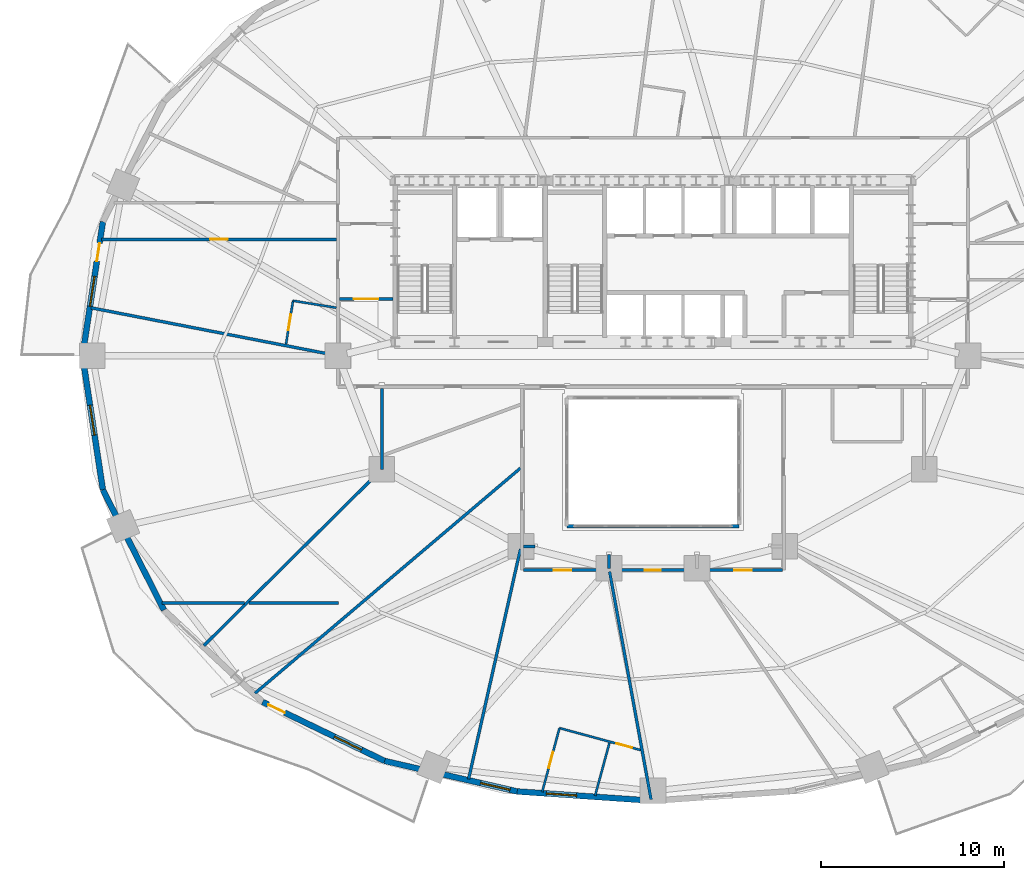
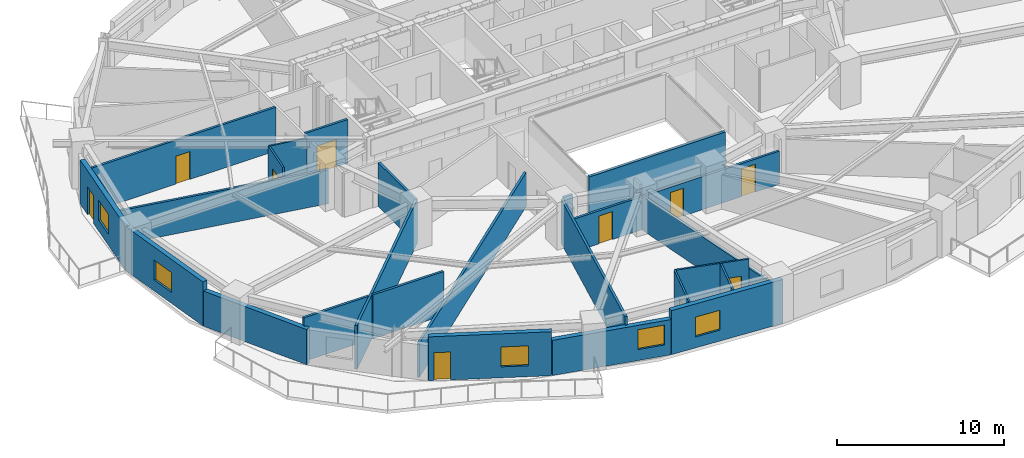
# One storey, part 9 of 17: 25 walls, 10 doors, 5 windows, 15 openings.
"""IFC4 building model written with IfcOpenShell, lengths in metres."""

from ifc_helpers import new_model, si_unit, direction, frame, frame_2d, origin, place, context, subcontext, project, spatial, rectangle, extrude, material, layer, layer_set, type_object, element, fill, save


model = new_model("IFC4")

# Units and contexts
model_context = context("Model", 3, precision=1e-05, world=origin(), true_north=direction((0.0, 1.0)))
body_context = subcontext(model_context, "Body", "Model", "MODEL_VIEW")
ifc_project = project(units=[si_unit("LENGTHUNIT", "METRE"), si_unit("AREAUNIT", "SQUARE_METRE"), si_unit("VOLUMEUNIT", "CUBIC_METRE"), si_unit("PLANEANGLEUNIT", "RADIAN"), si_unit("MASSUNIT", "GRAM", prefix="KILO")], contexts=[model_context])

# Site, building, storey
site_placement = place(None, origin())
site = spatial("IfcSite", under=ifc_project, at=site_placement, CompositionType="ELEMENT")
building_placement = place(site_placement, origin())
building = spatial("IfcBuilding", under=site, at=building_placement, Name="Haldorwick Loom Tower", CompositionType="ELEMENT")
storey_placement = place(building_placement, frame((0.0, 0.0, 55.050048828125)))
storey = spatial("IfcBuildingStorey", under=building, at=storey_placement, Name="L14", CompositionType="ELEMENT", Elevation=55.050048828125)

# Wall, openings, door, window
ifc_material_1 = material(Name="Pressed Clay Face Brick and Insulated Masonry Backup Assembly", Category="masonry")
ifc_layer_1 = layer(ifc_material_1, 0.320068359375, Name="Pressed Clay Face Brick and Insulated Masonry Backup Assembly", Category="masonry")
ifc_layer_set_1 = layer_set([ifc_layer_1], Name="Pressed Clay Face Brick and Insulated Masonry Backup Assembly")
wall_type_1 = type_object("IfcWallType", Name="ARC-WL-EXT320", PredefinedType="STANDARD", material=ifc_layer_set_1)
wall_1_placement = place(storey_placement, frame((5.978271484375, 33.320556640625, 0.0), z_axis=(0.0, 0.0, 1.0), x_axis=(-0.150476322528, -0.988613613278, 0.0)))
wall_1 = element("IfcWall", 1, at=wall_1_placement, inside=storey, type_object=wall_type_1, Name="L14 Brick Pier and Spandrel Wall 12", PredefinedType="STANDARD", context=body_context, shape_type="SweptSolid", body=[
    extrude(rectangle(XDim=7.40478515625, YDim=0.320068359375, at=frame_2d((3.702392578125, 0.0))), origin(), (0.0, 0.0, 1.0), 3.2099609375),
])
opening_1_placement = place(wall_1_placement, frame((1.18359375, 0.0, 0.0)))
opening_1 = element("IfcOpeningElement", 2, at=opening_1_placement, cuts=wall_1, Name="Opening D-BL10", PredefinedType="OPENING", context=body_context, shape_type="SweptSolid", body=[
    extrude(rectangle(XDim=1.0, YDim=2.0400390625, at=frame_2d((0.5, 1.02001953125))), frame((0.0, 0.169921875, 0.0), z_axis=(0.0, -1.0, 0.0), x_axis=(1.0, 0.0, 0.0)), (0.0, 0.0, 1.0), 0.340087890625),
])
opening_2_placement = place(wall_1_placement, frame((3.026611328125, 0.0, 0.800048828125)))
opening_2 = element("IfcOpeningElement", 3, at=opening_2_placement, cuts=wall_1, Name="Opening W-01B", PredefinedType="OPENING", context=body_context, shape_type="SweptSolid", body=[
    extrude(rectangle(XDim=1.64990234375, YDim=1.449951171875, at=frame_2d((0.824951171875, 0.72509765625))), frame((0.0, 0.169921875, 0.0), z_axis=(0.0, -1.0, 0.0), x_axis=(1.0, 0.0, 0.0)), (0.0, 0.0, 1.0), 0.340087890625),
])
ifc_material_2 = material(Name="Thermally Broken Anodized Aluminium Curtain Wall Framing", Category="aluminium")
door_type_1 = type_object("IfcDoorType", Name="ARC-DR-BAL100", OperationType="NOTDEFINED", PredefinedType="DOOR", material=ifc_material_2)
door_1_placement = place(opening_1_placement, origin())
door_1 = element("IfcDoor", 4, at=door_1_placement, inside=storey, type_object=door_type_1, Name="L14 Outdoor Terrace Door SLB-L14-BAL_WNW", OperationType="SINGLE_SWING_RIGHT", OverallHeight=2.0400390625, OverallWidth=1.0, PredefinedType="DOOR", context=body_context, shape_type="SweptSolid", body=[
    extrude(rectangle(XDim=1.0, YDim=2.0400390625, at=frame_2d((0.5, 1.02001953125))), frame((0.0, 0.02490234375, 0.0), z_axis=(0.0, -1.0, 0.0), x_axis=(1.0, 0.0, 0.0)), (0.0, 0.0, 1.0), 0.050048828125),
])
fill(opening_1, door_1)
ifc_material_3 = material(Name="Triple-Glazed Low-E Argon Insulated Glazing Unit", Category="glass")
window_type = type_object("IfcWindowType", Name="ARC-WIN-W165", PartitioningType="SINGLE_PANEL", PredefinedType="WINDOW", material=ifc_material_3)
window_1_placement = place(opening_2_placement, origin())
window_1 = element("IfcWindow", 5, at=window_1_placement, inside=storey, type_object=window_type, Name="L14 Deep-Set Zone 7A Window 12", OverallHeight=1.449951171875, OverallWidth=1.64990234375, PartitioningType="SINGLE_PANEL", PredefinedType="WINDOW", context=body_context, shape_type="SweptSolid", body=[
    extrude(rectangle(XDim=1.64990234375, YDim=1.449951171875, at=frame_2d((0.824951171875, 0.72509765625))), frame((0.0, 0.030029296875, 0.0), z_axis=(0.0, -1.0, 0.0), x_axis=(1.0, 0.0, 0.0)), (0.0, 0.0, 1.0), 0.06005859375),
])
fill(opening_2, window_1)

# Wall, opening, window
wall_2_placement = place(storey_placement, frame((4.864013671875, 26.0, 0.0), z_axis=(0.0, 0.0, 1.0), x_axis=(0.150476322528, -0.988613613278, 0.0)))
wall_2 = element("IfcWall", 6, at=wall_2_placement, inside=storey, type_object=wall_type_1, Name="L14 Brick Pier and Spandrel Wall 13", PredefinedType="STANDARD", context=body_context, shape_type="SweptSolid", body=[
    extrude(rectangle(XDim=7.40478515625, YDim=0.320068359375, at=frame_2d((3.702392578125, 0.0))), origin(), (0.0, 0.0, 1.0), 3.2099609375),
])
opening_3_placement = place(wall_2_placement, frame((2.728271484375, 0.0, 0.800048828125)))
opening_3 = element("IfcOpeningElement", 7, at=opening_3_placement, cuts=wall_2, Name="Opening W-01B", PredefinedType="OPENING", context=body_context, shape_type="SweptSolid", body=[
    extrude(rectangle(XDim=1.64990234375, YDim=1.449951171875, at=frame_2d((0.824951171875, 0.72509765625))), frame((0.0, 0.169921875, 0.0), z_axis=(0.0, -1.0, 0.0), x_axis=(1.0, 0.0, 0.0)), (0.0, 0.0, 1.0), 0.340087890625),
])
window_2_placement = place(opening_3_placement, origin())
window_2 = element("IfcWindow", 8, at=window_2_placement, inside=storey, type_object=window_type, Name="L14 Deep-Set Zone 7A Window 13", OverallHeight=1.449951171875, OverallWidth=1.64990234375, PartitioningType="SINGLE_PANEL", PredefinedType="WINDOW", context=body_context, shape_type="SweptSolid", body=[
    extrude(rectangle(XDim=1.64990234375, YDim=1.449951171875, at=frame_2d((0.824951171875, 0.72509765625))), frame((0.0, 0.030029296875, 0.0), z_axis=(0.0, -1.0, 0.0), x_axis=(1.0, 0.0, 0.0)), (0.0, 0.0, 1.0), 0.06005859375),
])
fill(opening_3, window_2)

# Wall
wall_3_placement = place(storey_placement, frame((5.978271484375, 18.679443359375, 0.0), z_axis=(0.0, 0.0, 1.0), x_axis=(0.452950855928, -0.891535485617, 0.0)))
element("IfcWall", 9, at=wall_3_placement, inside=storey, type_object=wall_type_1, Name="L14 Brick Pier and Spandrel Wall 14", PredefinedType="STANDARD", context=body_context, shape_type="SweptSolid", body=[
    extrude(rectangle(XDim=7.3583984375, YDim=0.320068359375, at=frame_2d((3.67919921875, 0.0))), origin(), (0.0, 0.0, 1.0), 2.56884765625),
])

# Wall, openings, door, window
wall_4_placement = place(storey_placement, frame((14.69580078125, 7.10400390625, 0.0), z_axis=(0.0, 0.0, 1.0), x_axis=(0.900295710431, -0.435278800057, 0.0)))
wall_4 = element("IfcWall", 10, at=wall_4_placement, inside=storey, type_object=wall_type_1, Name="L14 Brick Pier and Spandrel Wall 16", PredefinedType="STANDARD", context=body_context, shape_type="SweptSolid", body=[
    extrude(rectangle(XDim=7.39697265625, YDim=0.320068359375, at=frame_2d((3.698486328125, 0.0))), origin(), (0.0, 0.0, 1.0), 3.2099609375),
])
opening_4_placement = place(wall_4_placement, frame((0.340087890625, 0.0, 0.0)))
opening_4 = element("IfcOpeningElement", 11, at=opening_4_placement, cuts=wall_4, Name="Opening D-BL10", PredefinedType="OPENING", context=body_context, shape_type="SweptSolid", body=[
    extrude(rectangle(XDim=1.0, YDim=2.0400390625, at=frame_2d((0.5, 1.02001953125))), frame((0.0, 0.169921875, 0.0), z_axis=(0.0, -1.0, 0.0), x_axis=(1.0, 0.0, 0.0)), (0.0, 0.0, 1.0), 0.340087890625),
])
opening_5_placement = place(wall_4_placement, frame((4.352783203125, 0.0, 0.800048828125)))
opening_5 = element("IfcOpeningElement", 12, at=opening_5_placement, cuts=wall_4, Name="Opening W-01B", PredefinedType="OPENING", context=body_context, shape_type="SweptSolid", body=[
    extrude(rectangle(XDim=1.64990234375, YDim=1.449951171875, at=frame_2d((0.824951171875, 0.72509765625))), frame((0.0, 0.169921875, 0.0), z_axis=(0.0, -1.0, 0.0), x_axis=(1.0, 0.0, 0.0)), (0.0, 0.0, 1.0), 0.340087890625),
])
door_2_placement = place(opening_4_placement, origin())
door_2 = element("IfcDoor", 13, at=door_2_placement, inside=storey, type_object=door_type_1, Name="L14 Outdoor Terrace Door SLB-L14-BAL_SW", OperationType="SINGLE_SWING_RIGHT", OverallHeight=2.0400390625, OverallWidth=1.0, PredefinedType="DOOR", context=body_context, shape_type="SweptSolid", body=[
    extrude(rectangle(XDim=1.0, YDim=2.0400390625, at=frame_2d((0.5, 1.02001953125))), frame((0.0, 0.02490234375, 0.0), z_axis=(0.0, -1.0, 0.0), x_axis=(1.0, 0.0, 0.0)), (0.0, 0.0, 1.0), 0.050048828125),
])
fill(opening_4, door_2)
window_3_placement = place(opening_5_placement, origin())
window_3 = element("IfcWindow", 14, at=window_3_placement, inside=storey, type_object=window_type, Name="L14 Deep-Set Zone 7A Window 16", OverallHeight=1.449951171875, OverallWidth=1.64990234375, PartitioningType="SINGLE_PANEL", PredefinedType="WINDOW", context=body_context, shape_type="SweptSolid", body=[
    extrude(rectangle(XDim=1.64990234375, YDim=1.449951171875, at=frame_2d((0.824951171875, 0.72509765625))), frame((0.0, 0.030029296875, 0.0), z_axis=(0.0, -1.0, 0.0), x_axis=(1.0, 0.0, 0.0)), (0.0, 0.0, 1.0), 0.06005859375),
])
fill(opening_5, window_3)

# Wall, opening, window
wall_5_placement = place(storey_placement, frame((21.355224609375, 3.88427734375, 0.0), z_axis=(0.0, 0.0, 1.0), x_axis=(0.974522412345, -0.224290142088, 0.0)))
wall_5 = element("IfcWall", 15, at=wall_5_placement, inside=storey, type_object=wall_type_1, Name="L14 Brick Pier and Spandrel Wall 17", PredefinedType="STANDARD", context=body_context, shape_type="SweptSolid", body=[
    extrude(rectangle(XDim=7.422607421875, YDim=0.320068359375, at=frame_2d((3.71142578125, 0.0))), origin(), (0.0, 0.0, 1.0), 2.56884765625),
])
opening_6_placement = place(wall_5_placement, frame((5.37255859375, 0.0, 0.800048828125)))
opening_6 = element("IfcOpeningElement", 16, at=opening_6_placement, cuts=wall_5, Name="Opening W-01B", PredefinedType="OPENING", context=body_context, shape_type="SweptSolid", body=[
    extrude(rectangle(XDim=1.64990234375, YDim=1.449951171875, at=frame_2d((0.824951171875, 0.72509765625))), frame((0.0, 0.169921875, 0.0), z_axis=(0.0, -1.0, 0.0), x_axis=(1.0, 0.0, 0.0)), (0.0, 0.0, 1.0), 0.340087890625),
])
window_4_placement = place(opening_6_placement, origin())
window_4 = element("IfcWindow", 17, at=window_4_placement, inside=storey, type_object=window_type, Name="L14 Deep-Set Zone 7A Window 17", OverallHeight=1.449951171875, OverallWidth=1.64990234375, PartitioningType="SINGLE_PANEL", PredefinedType="WINDOW", context=body_context, shape_type="SweptSolid", body=[
    extrude(rectangle(XDim=1.64990234375, YDim=1.449951171875, at=frame_2d((0.824951171875, 0.72509765625))), frame((0.0, 0.030029296875, 0.0), z_axis=(0.0, -1.0, 0.0), x_axis=(1.0, 0.0, 0.0)), (0.0, 0.0, 1.0), 0.06005859375),
])
fill(opening_6, window_4)

wall_6_placement = place(storey_placement, frame((28.588623046875, 2.219482421875, 0.0), z_axis=(0.0, 0.0, 1.0), x_axis=(0.997645161917, -0.068586667092, 0.0)))
wall_6 = element("IfcWall", 18, at=wall_6_placement, inside=storey, type_object=wall_type_1, Name="L14 Brick Pier and Spandrel Wall 18", PredefinedType="STANDARD", context=body_context, shape_type="SweptSolid", body=[
    extrude(rectangle(XDim=7.428955078125, YDim=0.320068359375, at=frame_2d((3.71435546875, 0.0))), origin(), (0.0, 0.0, 1.0), 3.2099609375),
])
opening_7_placement = place(wall_6_placement, frame((1.599609375, 0.0, 0.800048828125)))
opening_7 = element("IfcOpeningElement", 19, at=opening_7_placement, cuts=wall_6, Name="Opening W-01B", PredefinedType="OPENING", context=body_context, shape_type="SweptSolid", body=[
    extrude(rectangle(XDim=1.64990234375, YDim=1.449951171875, at=frame_2d((0.824951171875, 0.72509765625))), frame((0.0, 0.169921875, 0.0), z_axis=(0.0, -1.0, 0.0), x_axis=(1.0, 0.0, 0.0)), (0.0, 0.0, 1.0), 0.340087890625),
])
window_5_placement = place(opening_7_placement, origin())
window_5 = element("IfcWindow", 20, at=window_5_placement, inside=storey, type_object=window_type, Name="L14 Deep-Set Zone 7A Window 18", OverallHeight=1.449951171875, OverallWidth=1.64990234375, PartitioningType="SINGLE_PANEL", PredefinedType="WINDOW", context=body_context, shape_type="SweptSolid", body=[
    extrude(rectangle(XDim=1.64990234375, YDim=1.449951171875, at=frame_2d((0.824951171875, 0.72509765625))), frame((0.0, 0.030029296875, 0.0), z_axis=(0.0, -1.0, 0.0), x_axis=(1.0, 0.0, 0.0)), (0.0, 0.0, 1.0), 0.06005859375),
])
fill(opening_7, window_5)

# Wall, opening, door
ifc_material_4 = material(Name="Fire-Rated Type X Gypsum Stud Assembly EI 60")
ifc_layer_2 = layer(ifc_material_4, 0.159912109375, Name="Fire-Rated Type X Gypsum Stud Assembly EI 60")
ifc_layer_set_2 = layer_set([ifc_layer_2], Name="Fire-Rated Type X Gypsum Stud Assembly EI 60")
wall_type_2 = type_object("IfcWallType", Name="ARC-WL-FIRE160", PredefinedType="PARTITIONING", material=ifc_layer_set_2)
wall_7_placement = place(storey_placement, frame((18.883056640625, 29.10009765625, 0.0), z_axis=(0.0, 0.0, 1.0), x_axis=(1.0, 0.0, 0.0)))
wall_7 = element("IfcWall", 21, at=wall_7_placement, inside=storey, type_object=wall_type_2, Name="L14 Residential Fire Partition L14-CR-WSJ", PredefinedType="PARTITIONING", context=body_context, shape_type="SweptSolid", body=[
    extrude(rectangle(XDim=2.923828125, YDim=0.159912109375, at=frame_2d((1.4619140625, 0.0))), origin(), (0.0, 0.0, 1.0), 3.195068359375),
])
opening_8_placement = place(wall_7_placement, frame((0.787109375, 0.0, 0.0)))
opening_8 = element("IfcOpeningElement", 22, at=opening_8_placement, cuts=wall_7, Name="Opening D-CR15", PredefinedType="OPENING", context=body_context, shape_type="SweptSolid", body=[
    extrude(rectangle(XDim=1.35009765625, YDim=2.0, at=frame_2d((0.675048828125, 1.0))), frame((0.0, 0.08984375, 0.0), z_axis=(0.0, -1.0, 0.0), x_axis=(1.0, 0.0, 0.0)), (0.0, 0.0, 1.0), 0.179931640625),
])
ifc_material_5 = material(Name="Thermally Broken Anodized Aluminium and Tempered Glass", Category="aluminium")
door_type_2 = type_object("IfcDoorType", Name="ARC-DR-COR150", OperationType="NOTDEFINED", PredefinedType="DOOR", material=ifc_material_5)
door_3_placement = place(opening_8_placement, origin())
door_3 = element("IfcDoor", 23, at=door_3_placement, inside=storey, type_object=door_type_2, Name="L14 L14 West Residential Corridor to L14 Central Residential Corridor Do", OperationType="DOUBLE_DOOR_SINGLE_SWING", OverallHeight=2.0, OverallWidth=1.35009765625, PredefinedType="DOOR", context=body_context, shape_type="SweptSolid", body=[
    extrude(rectangle(XDim=1.35009765625, YDim=2.0, at=frame_2d((0.675048828125, 1.0))), frame((0.0, 0.02490234375, 0.0), z_axis=(0.0, -1.0, 0.0), x_axis=(1.0, 0.0, 0.0)), (0.0, 0.0, 1.0), 0.050048828125),
])
fill(opening_8, door_3)

# Wall, openings, doors
wall_8_placement = place(storey_placement, frame((28.93310546875, 14.300048828125, 0.0), z_axis=(0.0, 0.0, 1.0), x_axis=(1.0, 0.0, 0.0)))
wall_8 = element("IfcWall", 24, at=wall_8_placement, inside=storey, type_object=wall_type_2, Name="L14 Residential Fire Partition L14-CR-AS", PredefinedType="PARTITIONING", context=body_context, shape_type="SweptSolid", body=[
    extrude(rectangle(XDim=14.1337890625, YDim=0.159912109375, at=frame_2d((7.06689453125, 0.0))), origin(), (0.0, 0.0, 1.0), 2.411865234375),
])
opening_9_placement = place(wall_8_placement, frame((6.606689453125, 0.0, 0.0)))
opening_9 = element("IfcOpeningElement", 25, at=opening_9_placement, cuts=wall_8, Name="Opening D-FD88", PredefinedType="OPENING", context=body_context, shape_type="SweptSolid", body=[
    extrude(rectangle(XDim=0.8798828125, YDim=2.02001953125, at=frame_2d((0.43994140625, 1.010009765625))), frame((0.0, 0.08984375, 0.0), z_axis=(0.0, -1.0, 0.0), x_axis=(1.0, 0.0, 0.0)), (0.0, 0.0, 1.0), 0.179931640625),
])
opening_10_placement = place(wall_8_placement, frame((1.66259765625, 0.0, 0.0)))
opening_10 = element("IfcOpeningElement", 26, at=opening_10_placement, cuts=wall_8, Name="Opening D-FL95", PredefinedType="OPENING", context=body_context, shape_type="SweptSolid", body=[
    extrude(rectangle(XDim=0.949951171875, YDim=2.0400390625, at=frame_2d((0.47509765625, 1.02001953125))), frame((0.0, 0.08984375, 0.0), z_axis=(0.0, -1.0, 0.0), x_axis=(1.0, 0.0, 0.0)), (0.0, 0.0, 1.0), 0.179931640625),
])
opening_11_placement = place(wall_8_placement, frame((11.5126953125, 0.0, 0.0)))
opening_11 = element("IfcOpeningElement", 27, at=opening_11_placement, cuts=wall_8, Name="Opening D-FL95", PredefinedType="OPENING", context=body_context, shape_type="SweptSolid", body=[
    extrude(rectangle(XDim=0.949951171875, YDim=2.0400390625, at=frame_2d((0.47509765625, 1.02001953125))), frame((0.0, 0.08984375, 0.0), z_axis=(0.0, -1.0, 0.0), x_axis=(1.0, 0.0, 0.0)), (0.0, 0.0, 1.0), 0.179931640625),
])
ifc_material_6 = material(Name="Hollow Steel Fire Door Assembly", Category="steel")
door_type_3 = type_object("IfcDoorType", Name="ARC-DR-FD60-88", OperationType="NOTDEFINED", PredefinedType="DOOR", material=ifc_material_6)
door_4_placement = place(opening_9_placement, origin())
door_4 = element("IfcDoor", 28, at=door_4_placement, inside=storey, type_object=door_type_3, Name="L14 L14 South Atrium Corridor to Co-Working Open Office 1 Door", OperationType="SINGLE_SWING_LEFT", OverallHeight=2.02001953125, OverallWidth=0.8798828125, PredefinedType="DOOR", context=body_context, shape_type="SweptSolid", body=[
    extrude(rectangle(XDim=0.8798828125, YDim=2.02001953125, at=frame_2d((0.43994140625, 1.010009765625))), frame((0.0, 0.02490234375, 0.0), z_axis=(0.0, -1.0, 0.0), x_axis=(1.0, 0.0, 0.0)), (0.0, 0.0, 1.0), 0.050048828125),
])
fill(opening_9, door_4)
ifc_material_7 = material(Name="Solid Core Birch Architectural Door")
door_type_4 = type_object("IfcDoorType", Name="ARC-DR-FLAT95", OperationType="NOTDEFINED", PredefinedType="DOOR", material=ifc_material_7)
door_5_placement = place(opening_10_placement, origin())
door_5 = element("IfcDoor", 29, at=door_5_placement, inside=storey, type_object=door_type_4, Name="L14 L14 South Atrium Corridor to Unit 14B Kitchen and Living Room Door", OperationType="SINGLE_SWING_LEFT", OverallHeight=2.0400390625, OverallWidth=0.949951171875, PredefinedType="DOOR", context=body_context, shape_type="SweptSolid", body=[
    extrude(rectangle(XDim=0.949951171875, YDim=2.0400390625, at=frame_2d((0.47509765625, 1.02001953125))), frame((0.0, 0.02490234375, 0.0), z_axis=(0.0, -1.0, 0.0), x_axis=(1.0, 0.0, 0.0)), (0.0, 0.0, 1.0), 0.050048828125),
])
fill(opening_10, door_5)
door_6_placement = place(opening_11_placement, origin())
door_6 = element("IfcDoor", 30, at=door_6_placement, inside=storey, type_object=door_type_4, Name="L14 L14 South Atrium Corridor to Unit 14C Kitchen and Living Room Door", OperationType="SINGLE_SWING_LEFT", OverallHeight=2.0400390625, OverallWidth=0.949951171875, PredefinedType="DOOR", context=body_context, shape_type="SweptSolid", body=[
    extrude(rectangle(XDim=0.949951171875, YDim=2.0400390625, at=frame_2d((0.47509765625, 1.02001953125))), frame((0.0, 0.02490234375, 0.0), z_axis=(0.0, -1.0, 0.0), x_axis=(1.0, 0.0, 0.0)), (0.0, 0.0, 1.0), 0.050048828125),
])
fill(opening_11, door_6)

# Wall, opening, door
wall_9_placement = place(storey_placement, frame((5.896240234375, 32.35009765625, 0.0), z_axis=(0.0, 0.0, 1.0), x_axis=(1.0, 0.0, 0.0)))
wall_9 = element("IfcWall", 31, at=wall_9_placement, inside=storey, type_object=wall_type_2, Name="L14 Residential Fire Partition L14-CR-GW0", PredefinedType="PARTITIONING", context=body_context, shape_type="SweptSolid", body=[
    extrude(rectangle(XDim=12.82080078125, YDim=0.159912109375, at=frame_2d((6.410400390625, 0.0))), origin(), (0.0, 0.0, 1.0), 3.195068359375),
])
opening_12_placement = place(wall_9_placement, frame((5.935302734375, 0.0, 0.0)))
opening_12 = element("IfcOpeningElement", 32, at=opening_12_placement, cuts=wall_9, Name="Opening D-FL95", PredefinedType="OPENING", context=body_context, shape_type="SweptSolid", body=[
    extrude(rectangle(XDim=0.949951171875, YDim=2.0400390625, at=frame_2d((0.47509765625, 1.02001953125))), frame((0.0, 0.08984375, 0.0), z_axis=(0.0, -1.0, 0.0), x_axis=(1.0, 0.0, 0.0)), (0.0, 0.0, 1.0), 0.179931640625),
])
door_7_placement = place(opening_12_placement, origin())
door_7 = element("IfcDoor", 33, at=door_7_placement, inside=storey, type_object=door_type_4, Name="L14 L14 West Daylight Corridor to Unit 14D Kitchen and Studio Living Roo", OperationType="SINGLE_SWING_LEFT", OverallHeight=2.0400390625, OverallWidth=0.949951171875, PredefinedType="DOOR", context=body_context, shape_type="SweptSolid", body=[
    extrude(rectangle(XDim=0.949951171875, YDim=2.0400390625, at=frame_2d((0.47509765625, 1.02001953125))), frame((0.0, 0.02490234375, 0.0), z_axis=(0.0, -1.0, 0.0), x_axis=(1.0, 0.0, 0.0)), (0.0, 0.0, 1.0), 0.050048828125),
])
fill(opening_12, door_7)

# Walls
wall_10_placement = place(storey_placement, frame((33.63330078125, 14.217041015625, 0.0), z_axis=(0.0, 0.0, 1.0), x_axis=(0.17898742878, -0.983851360897, 0.0)))
element("IfcWall", 34, at=wall_10_placement, inside=storey, type_object=wall_type_2, Name="L14 Residential Fire Partition L14-ICR-08", PredefinedType="PARTITIONING", context=body_context, shape_type="SweptSolid", body=[
    extrude(rectangle(XDim=12.638916015625, YDim=0.159912109375, at=frame_2d((6.3193359375, 0.0))), origin(), (0.0, 0.0, 1.0), 2.489990234375),
])
wall_11_placement = place(storey_placement, frame((28.76708984375, 15.45361328125, 0.0), z_axis=(0.0, 0.0, 1.0), x_axis=(-0.21976718315, -0.97555234878, 0.0)))
element("IfcWall", 35, at=wall_11_placement, inside=storey, type_object=wall_type_2, Name="L14 Residential Fire Partition L14-ICR-10", PredefinedType="PARTITIONING", context=body_context, shape_type="SweptSolid", body=[
    extrude(rectangle(XDim=12.8720703125, YDim=0.159912109375, at=frame_2d((6.43603515625, 0.0))), origin(), (0.0, 0.0, 1.0), 3.195068359375),
])
wall_12_placement = place(storey_placement, frame((21.199951171875, 19.800048828125, 0.0), z_axis=(0.0, 0.0, 1.0), x_axis=(-0.710429801282, -0.703768070781, 0.0)))
element("IfcWall", 36, at=wall_12_placement, inside=storey, type_object=wall_type_2, Name="L14 Residential Fire Partition L14-ICR-12", PredefinedType="PARTITIONING", context=body_context, shape_type="SweptSolid", body=[
    extrude(rectangle(XDim=13.669677734375, YDim=0.159912109375, at=frame_2d((6.8349609375, 0.0))), origin(), (0.0, 0.0, 1.0), 3.195068359375),
])
wall_13_placement = place(storey_placement, frame((18.717041015625, 26.01611328125, 0.0), z_axis=(0.0, 0.0, 1.0), x_axis=(-0.98162656706, 0.190812166391, 0.0)))
element("IfcWall", 37, at=wall_13_placement, inside=storey, type_object=wall_type_2, Name="L14 Residential Fire Partition L14-ICR-13", PredefinedType="PARTITIONING", context=body_context, shape_type="SweptSolid", body=[
    extrude(rectangle(XDim=13.63916015625, YDim=0.159912109375, at=frame_2d((6.819580078125, 0.0))), origin(), (0.0, 0.0, 1.0), 2.489990234375),
])
wall_14_placement = place(storey_placement, frame((33.60009765625, 15.14990234375, 0.0), z_axis=(0.0, 0.0, 1.0), x_axis=(0.0, -1.0, 0.0)))
element("IfcWall", 38, at=wall_14_placement, inside=storey, type_object=wall_type_2, Name="L14 Residential Fire Partition L14-ICA-07", PredefinedType="PARTITIONING", context=body_context, shape_type="SweptSolid", body=[
    extrude(rectangle(XDim=0.75, YDim=0.159912109375, at=frame_2d((0.375, 0.0))), origin(), (0.0, 0.0, 1.0), 3.195068359375),
])
wall_15_placement = place(storey_placement, frame((29.550048828125, 15.60009765625, 0.0), z_axis=(0.0, 0.0, 1.0), x_axis=(-1.0, 0.0, 0.0)))
element("IfcWall", 39, at=wall_15_placement, inside=storey, type_object=wall_type_2, Name="L14 Residential Fire Partition L14-ICA-09", PredefinedType="PARTITIONING", context=body_context, shape_type="SweptSolid", body=[
    extrude(rectangle(XDim=0.616943359375, YDim=0.159912109375, at=frame_2d((0.30859375, 0.0))), origin(), (0.0, 0.0, 1.0), 3.195068359375),
])
wall_16_placement = place(storey_placement, frame((21.199951171875, 24.217041015625, 0.0), z_axis=(0.0, 0.0, 1.0), x_axis=(0.0, -1.0, 0.0)))
element("IfcWall", 40, at=wall_16_placement, inside=storey, type_object=wall_type_2, Name="L14 Residential Fire Partition L14-ICA-11", PredefinedType="PARTITIONING", context=body_context, shape_type="SweptSolid", body=[
    extrude(rectangle(XDim=4.4169921875, YDim=0.159912109375, at=frame_2d((2.20849609375, 0.0))), origin(), (0.0, 0.0, 1.0), 3.195068359375),
])
wall_17_placement = place(storey_placement, frame((9.190673828125, 12.5, 0.0), z_axis=(0.0, 0.0, 1.0), x_axis=(1.0, 0.0, 0.0)))
element("IfcWall", 41, at=wall_17_placement, inside=storey, type_object=wall_type_2, Name="L14 Residential Fire Partition L14-FLW-19", PredefinedType="PARTITIONING", context=body_context, shape_type="SweptSolid", body=[
    extrude(rectangle(XDim=4.522216796875, YDim=0.159912109375, at=frame_2d((2.26123046875, 0.0))), origin(), (0.0, 0.0, 1.0), 3.195068359375),
])
wall_18_placement = place(storey_placement, frame((13.94873046875, 12.5, 0.0), z_axis=(0.0, 0.0, 1.0), x_axis=(1.0, 0.0, 0.0)))
element("IfcWall", 42, at=wall_18_placement, inside=storey, type_object=wall_type_2, Name="L14 Residential Fire Partition L14-FLW-19", PredefinedType="PARTITIONING", context=body_context, shape_type="SweptSolid", body=[
    extrude(rectangle(XDim=4.9013671875, YDim=0.159912109375, at=frame_2d((2.45068359375, 0.0))), origin(), (0.0, 0.0, 1.0), 3.195068359375),
])
wall_19_placement = place(storey_placement, frame((28.76708984375, 19.86572265625, 0.0), z_axis=(0.0, 0.0, 1.0), x_axis=(-0.762657447098, -0.646802611611, 0.0)))
element("IfcWall", 43, at=wall_19_placement, inside=storey, type_object=wall_type_2, Name="L14 Suite Split Wall", PredefinedType="PARTITIONING", context=body_context, shape_type="SweptSolid", body=[
    extrude(rectangle(XDim=18.9951171875, YDim=0.159912109375, at=frame_2d((9.49755859375, 0.0))), origin(), (0.0, 0.0, 1.0), 2.489990234375),
])
ifc_material_8 = material(Name="Fire-Rated Type X Gypsum Stud Assembly EI 120")
ifc_layer_3 = layer(ifc_material_8, 0.199951171875, Name="Fire-Rated Type X Gypsum Stud Assembly EI 120")
ifc_layer_set_3 = layer_set([ifc_layer_3], Name="Fire-Rated Type X Gypsum Stud Assembly EI 120")
wall_type_3 = type_object("IfcWallType", Name="ARC-WL-FIRE200", PredefinedType="PARTITIONING", material=ifc_layer_set_3)
wall_20_placement = place(storey_placement, frame((40.699951171875, 16.699951171875, 0.0), z_axis=(0.0, 0.0, 1.0), x_axis=(-1.0, 0.0, 0.0)))
element("IfcWall", 44, at=wall_20_placement, inside=storey, type_object=wall_type_3, Name="L14 Atrium Fire Enclosure Wall S", PredefinedType="PARTITIONING", context=body_context, shape_type="SweptSolid", body=[
    extrude(rectangle(XDim=9.39990234375, YDim=0.199951171875, at=frame_2d((4.699951171875, 0.0))), origin(), (0.0, 0.0, 1.0), 3.195068359375),
])

# Wall, opening, door
ifc_material_9 = material(Name="Acoustic Gypsum Stud Assembly STC 55")
ifc_layer_4 = layer(ifc_material_9, 0.1201171875, Name="Acoustic Gypsum Stud Assembly STC 55")
ifc_layer_set_4 = layer_set([ifc_layer_4], Name="Acoustic Gypsum Stud Assembly STC 55")
wall_type_4 = type_object("IfcWallType", Name="ARC-WL-PART120", PredefinedType="PARTITIONING", material=ifc_layer_set_4)
wall_21_placement = place(storey_placement, frame((30.89990234375, 5.679443359375, 0.0), z_axis=(0.0, 0.0, 1.0), x_axis=(0.965151510703, -0.26169172969, 0.0)))
wall_21 = element("IfcWall", 45, at=wall_21_placement, inside=storey, type_object=wall_type_4, Name="L14 Unit 14B Interior Partition", PredefinedType="PARTITIONING", context=body_context, shape_type="SweptSolid", body=[
    extrude(rectangle(XDim=4.579833984375, YDim=0.1201171875, at=frame_2d((2.2900390625, 0.0))), origin(), (0.0, 0.0, 1.0), 3.195068359375),
])
opening_13_placement = place(wall_21_placement, frame((3.223876953125, 0.0, 0.0)))
opening_13 = element("IfcOpeningElement", 46, at=opening_13_placement, cuts=wall_21, Name="Opening D-BT88", PredefinedType="OPENING", context=body_context, shape_type="SweptSolid", body=[
    extrude(rectangle(XDim=0.8798828125, YDim=2.02001953125, at=frame_2d((0.43994140625, 1.010009765625))), frame((0.0, 0.070068359375, 0.0), z_axis=(0.0, -1.0, 0.0), x_axis=(1.0, 0.0, 0.0)), (0.0, 0.0, 1.0), 0.14013671875),
])
door_type_5 = type_object("IfcDoorType", Name="ARC-DR-BATH88", OperationType="NOTDEFINED", PredefinedType="DOOR", material=ifc_material_7)
door_8_placement = place(opening_13_placement, origin())
door_8 = element("IfcDoor", 47, at=door_8_placement, inside=storey, type_object=door_type_5, Name="L14 Unit 14B Kitchen and Living Room to Unit 14B Bathroom Door", OperationType="SINGLE_SWING_RIGHT", OverallHeight=2.02001953125, OverallWidth=0.8798828125, PredefinedType="DOOR", context=body_context, shape_type="SweptSolid", body=[
    extrude(rectangle(XDim=0.8798828125, YDim=2.02001953125, at=frame_2d((0.43994140625, 1.010009765625))), frame((0.0, 0.02490234375, 0.0), z_axis=(0.0, -1.0, 0.0), x_axis=(1.0, 0.0, 0.0)), (0.0, 0.0, 1.0), 0.050048828125),
])
fill(opening_13, door_8)

wall_22_placement = place(storey_placement, frame((30.89990234375, 5.679443359375, 0.0), z_axis=(0.0, 0.0, 1.0), x_axis=(-0.2616711178, -0.965157099186, 0.0)))
wall_22 = element("IfcWall", 48, at=wall_22_placement, inside=storey, type_object=wall_type_4, Name="L14 Unit 14B Interior Partition", PredefinedType="PARTITIONING", context=body_context, shape_type="SweptSolid", body=[
    extrude(rectangle(XDim=3.614501953125, YDim=0.1201171875, at=frame_2d((1.80712890625, 0.0))), origin(), (0.0, 0.0, 1.0), 3.195068359375),
])
opening_14_placement = place(wall_22_placement, frame((1.357421875, 0.0, 0.0)))
opening_14 = element("IfcOpeningElement", 49, at=opening_14_placement, cuts=wall_22, Name="Opening D-IN90", PredefinedType="OPENING", context=body_context, shape_type="SweptSolid", body=[
    extrude(rectangle(XDim=0.89990234375, YDim=2.0400390625, at=frame_2d((0.449951171875, 1.02001953125))), frame((0.0, 0.070068359375, 0.0), z_axis=(0.0, -1.0, 0.0), x_axis=(1.0, 0.0, 0.0)), (0.0, 0.0, 1.0), 0.14013671875),
])
door_type_6 = type_object("IfcDoorType", Name="ARC-DR-INT90", OperationType="NOTDEFINED", PredefinedType="DOOR", material=ifc_material_7)
door_9_placement = place(opening_14_placement, origin())
door_9 = element("IfcDoor", 50, at=door_9_placement, inside=storey, type_object=door_type_6, Name="L14 Unit 14B Bedroom 1 to Unit 14B Kitchen and Living Room Door", OperationType="SINGLE_SWING_RIGHT", OverallHeight=2.0400390625, OverallWidth=0.89990234375, PredefinedType="DOOR", context=body_context, shape_type="SweptSolid", body=[
    extrude(rectangle(XDim=0.89990234375, YDim=2.0400390625, at=frame_2d((0.449951171875, 1.02001953125))), frame((0.0, 0.02490234375, 0.0), z_axis=(0.0, -1.0, 0.0), x_axis=(1.0, 0.0, 0.0)), (0.0, 0.0, 1.0), 0.050048828125),
])
fill(opening_14, door_9)

# Wall
wall_23_placement = place(storey_placement, frame((33.62646484375, 4.875, 0.0), z_axis=(0.0, 0.0, 1.0), x_axis=(-0.261643925472, -0.965164471095, 0.0)))
element("IfcWall", 51, at=wall_23_placement, inside=storey, type_object=wall_type_4, Name="L14 Unit 14B Interior Partition", PredefinedType="PARTITIONING", context=body_context, shape_type="SweptSolid", body=[
    extrude(rectangle(XDim=2.98681640625, YDim=0.1201171875, at=frame_2d((1.493408203125, 0.0))), origin(), (0.0, 0.0, 1.0), 3.195068359375),
])

# Wall, opening, door
wall_24_placement = place(storey_placement, frame((16.355712890625, 29.002685546875, 0.0), z_axis=(0.0, 0.0, 1.0), x_axis=(-0.159446776603, -0.98720652623, 0.0)))
wall_24 = element("IfcWall", 52, at=wall_24_placement, inside=storey, type_object=wall_type_4, Name="L14 Unit 14D Interior Partition", PredefinedType="PARTITIONING", context=body_context, shape_type="SweptSolid", body=[
    extrude(rectangle(XDim=2.3994140625, YDim=0.1201171875, at=frame_2d((1.19970703125, 0.0))), origin(), (0.0, 0.0, 1.0), 3.195068359375),
])
opening_15_placement = place(wall_24_placement, frame((0.759765625, 0.0, 0.0)))
opening_15 = element("IfcOpeningElement", 53, at=opening_15_placement, cuts=wall_24, Name="Opening D-BT88", PredefinedType="OPENING", context=body_context, shape_type="SweptSolid", body=[
    extrude(rectangle(XDim=0.8798828125, YDim=2.02001953125, at=frame_2d((0.43994140625, 1.010009765625))), frame((0.0, 0.070068359375, 0.0), z_axis=(0.0, -1.0, 0.0), x_axis=(1.0, 0.0, 0.0)), (0.0, 0.0, 1.0), 0.14013671875),
])
door_10_placement = place(opening_15_placement, origin())
door_10 = element("IfcDoor", 54, at=door_10_placement, inside=storey, type_object=door_type_5, Name="L14 Unit 14D Bathroom to Unit 14D Kitchen and Studio Living Room Door", OperationType="SINGLE_SWING_RIGHT", OverallHeight=2.02001953125, OverallWidth=0.8798828125, PredefinedType="DOOR", context=body_context, shape_type="SweptSolid", body=[
    extrude(rectangle(XDim=0.8798828125, YDim=2.02001953125, at=frame_2d((0.43994140625, 1.010009765625))), frame((0.0, 0.02490234375, 0.0), z_axis=(0.0, -1.0, 0.0), x_axis=(1.0, 0.0, 0.0)), (0.0, 0.0, 1.0), 0.050048828125),
])
fill(opening_15, door_10)

# Wall
wall_25_placement = place(storey_placement, frame((18.717041015625, 28.621337890625, 0.0), z_axis=(0.0, 0.0, 1.0), x_axis=(-0.987209010081, 0.159431397203, 0.0)))
element("IfcWall", 55, at=wall_25_placement, inside=storey, type_object=wall_type_4, Name="L14 Unit 14D Interior Partition", PredefinedType="PARTITIONING", context=body_context, shape_type="SweptSolid", body=[
    extrude(rectangle(XDim=2.391845703125, YDim=0.1201171875, at=frame_2d((1.19580078125, 0.0))), origin(), (0.0, 0.0, 1.0), 3.195068359375),
])

save(model, "model.ifc")
